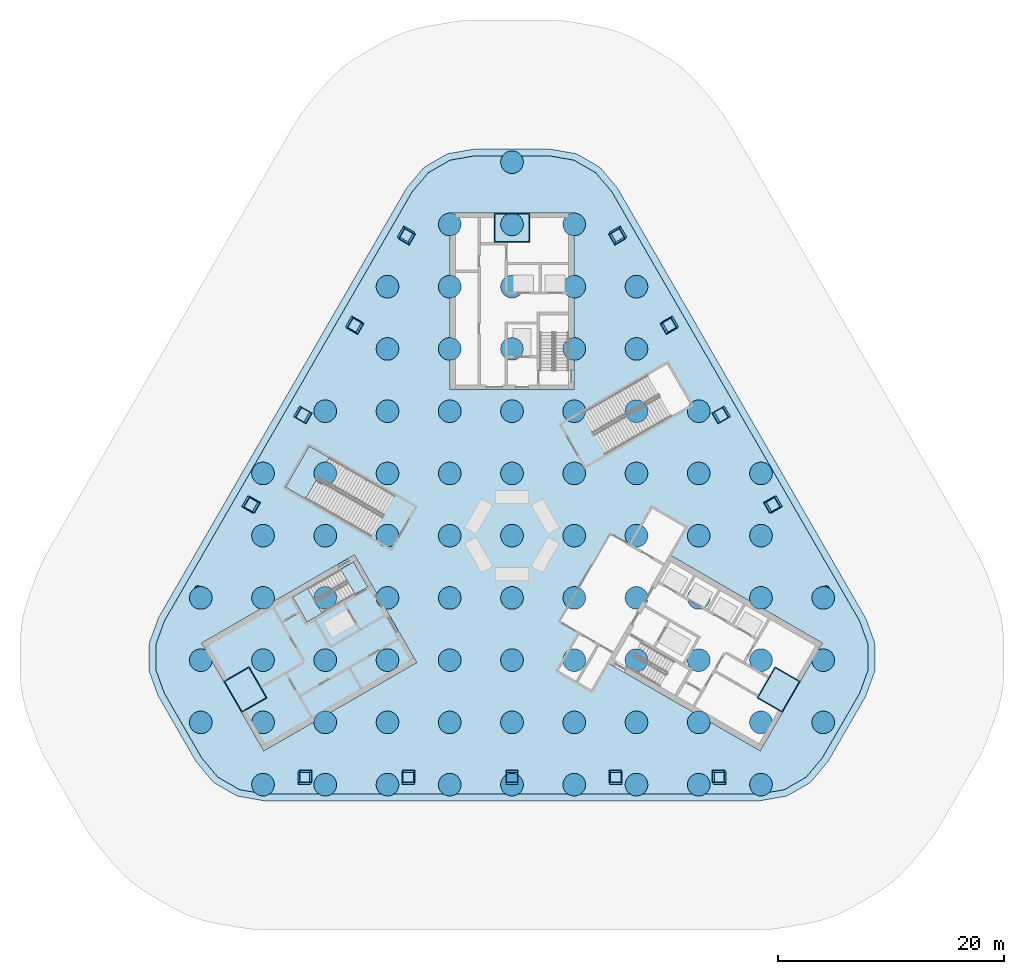
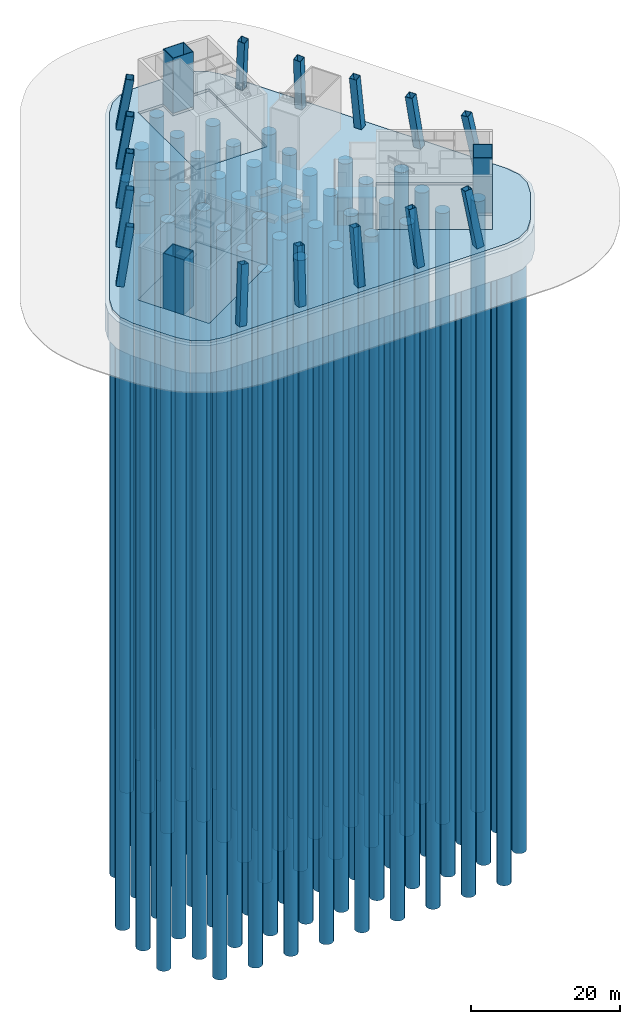
# One storey, part 1 of 10: 81 piles, 18 columns, 6 slabs, 1 footing, 2 elements without a shape of their own.
"""IFC4 building model written with IfcOpenShell, lengths in metres."""

import ifcopenshell
import ifcopenshell.guid

model = None  # the IFC model being written
_history = None  # IfcOwnerHistory: only IFC2X3 demands one
_inside = {}  # id of a spatial element -> (the spatial element, [elements in it])
_under = {}  # id of a project, library or spatial element -> (it, [spatial elements below it])
_declared = {}  # id of a project -> (the project, [libraries it declares])
_typed = {}  # id of a type object -> (the type object, [elements of that type])
_made_of = {}  # id of a material, layer set ... -> (it, [elements and type objects made of it])


def new_model(schema):
    """Start an empty IFC model of exactly this schema.

    Asked for "IFC4X3", IfcOpenShell would pick the latest addendum, in which some entities
    have other attributes; the version numbers below select the first issue.
    IFC2X3 requires an IfcOwnerHistory on every rooted entity: one is made here for all.
    """
    global model, _history
    if schema == "IFC4X3":
        model = ifcopenshell.file(schema_version=(4, 3, 0, 0))
    else:
        model = ifcopenshell.file(schema=schema)
    _inside.clear()
    _under.clear()
    _declared.clear()
    _typed.clear()
    _made_of.clear()
    _history = None
    if model.schema == "IFC2X3":
        org = make("IfcOrganization", Name="unknown")
        user = make(
            "IfcPersonAndOrganization",
            ThePerson=make("IfcPerson", FamilyName="unknown"),
            TheOrganization=org,
        )
        app = make(
            "IfcApplication",
            ApplicationDeveloper=org,
            Version="unknown",
            ApplicationFullName="unknown",
            ApplicationIdentifier="unknown",
        )
        _history = make(
            "IfcOwnerHistory",
            OwningUser=user,
            OwningApplication=app,
            ChangeAction="ADDED",
            CreationDate=0,
        )
    return model


def make(cls, **values):
    """One entity of the class cls with the attributes given. An attribute that is None is left unset."""
    return model.create_entity(
        cls, **{name: value for name, value in values.items() if value is not None}
    )


def rooted(cls, **values):
    """An entity with a GlobalId (a new one), such as an element, a storey or a relation."""
    return make(cls, GlobalId=ifcopenshell.guid.new(), OwnerHistory=_history, **values)


def si_unit(unit_type, name, prefix=None):
    """IfcSIUnit, for example si_unit("LENGTHUNIT", "METRE", prefix="MILLI")."""
    return make("IfcSIUnit", UnitType=unit_type, Prefix=prefix, Name=name)


def assignment(units):
    """IfcUnitAssignment: the units of a project."""
    return None if units is None else make("IfcUnitAssignment", Units=units)


def point(xyz):
    """IfcCartesianPoint."""
    return None if xyz is None else make("IfcCartesianPoint", Coordinates=xyz)


def direction(xyz):
    """IfcDirection."""
    return None if xyz is None else make("IfcDirection", DirectionRatios=xyz)


def frame(location, z_axis=None, x_axis=None):
    """IfcAxis2Placement3D, a coordinate frame: its origin and axes. An axis left out is left unset."""
    return make(
        "IfcAxis2Placement3D",
        Location=point(location),
        Axis=direction(z_axis),
        RefDirection=direction(x_axis),
    )


def frame_2d(location, x_axis=None):
    """IfcAxis2Placement2D, a coordinate frame in the plane: its origin and x axis."""
    return make(
        "IfcAxis2Placement2D", Location=point(location), RefDirection=direction(x_axis)
    )


def origin():
    """The frame at (0, 0, 0) with its axes left unset."""
    return frame((0.0, 0.0, 0.0))


def origin_2d():
    """The frame at (0, 0) in the plane with its x axis left unset."""
    return frame_2d((0.0, 0.0))


def place(relative_to, where):
    """IfcLocalPlacement: puts the frame where relative to a parent placement (None: the world)."""
    return make(
        "IfcLocalPlacement", PlacementRelTo=relative_to, RelativePlacement=where
    )


def context(
    kind, dimensions, precision=None, world=None, true_north=None, identifier=None
):
    """IfcGeometricRepresentationContext, for example the 3D "Model" context."""
    return make(
        "IfcGeometricRepresentationContext",
        ContextIdentifier=identifier,
        ContextType=kind,
        CoordinateSpaceDimension=dimensions,
        Precision=precision,
        WorldCoordinateSystem=world,
        TrueNorth=true_north,
    )


def subcontext(parent, identifier, kind, view, scale=None):
    """IfcGeometricRepresentationSubContext, for example "Body" below "Model"."""
    return make(
        "IfcGeometricRepresentationSubContext",
        ContextIdentifier=identifier,
        ContextType=kind,
        ParentContext=parent,
        TargetScale=scale,
        TargetView=view,
    )


def project(units=None, contexts=None):
    """IfcProject with its units and contexts."""
    return rooted(
        "IfcProject",
        Name="project",
        RepresentationContexts=contexts,
        UnitsInContext=assignment(units),
    )


def spatial(cls, under=None, at=None, **own):
    """A site, building, storey or space (cls), placed at a placement, below another one or the project."""
    s = rooted(cls, ObjectPlacement=at, **own)
    if under is not None:
        _under.setdefault(under.id(), (under, []))[1].append(s)
    return s


def polyline(points):
    """IfcPolyline through the points."""
    return make("IfcPolyline", Points=[point(p) for p in points])


def profile(cls, at=None, kind="AREA", **sizes):
    """A parametric profile (cls). Its sizes go by their IFC names, for example OverallWidth=200.0."""
    return make(cls, ProfileType=kind, Position=at, **sizes)


def rectangle(**sizes):
    """IfcRectangleProfileDef."""
    return profile("IfcRectangleProfileDef", **sizes)


def hollow_rectangle(**sizes):
    """IfcRectangleHollowProfileDef."""
    return profile("IfcRectangleHollowProfileDef", **sizes)


def circle(**sizes):
    """IfcCircleProfileDef."""
    return profile("IfcCircleProfileDef", **sizes)


def outline(outer, holes=None, kind="AREA"):
    """IfcArbitraryClosedProfileDef: a profile drawn as a closed curve; with holes, ...WithVoids."""
    if holes is None:
        return make("IfcArbitraryClosedProfileDef", ProfileType=kind, OuterCurve=outer)
    return make(
        "IfcArbitraryProfileDefWithVoids",
        ProfileType=kind,
        OuterCurve=outer,
        InnerCurves=holes,
    )


def extrude(swept, where, along, depth):
    """IfcExtrudedAreaSolid: the profile swept, set in the frame where, extruded along a direction by depth."""
    return make(
        "IfcExtrudedAreaSolid",
        SweptArea=swept,
        Position=where,
        ExtrudedDirection=direction(along),
        Depth=depth,
    )


def boolean(op, a, b):
    """IfcBooleanResult of two solids."""
    return make("IfcBooleanResult", Operator=op, FirstOperand=a, SecondOperand=b)


def halfspace(plane, agree):
    """IfcHalfSpaceSolid: all space on one side of the plane z = 0 of the frame plane."""
    return make(
        "IfcHalfSpaceSolid",
        BaseSurface=make("IfcPlane", Position=plane),
        AgreementFlag=agree,
    )


def shape(context_of_items, identifier, shape_type, items):
    """IfcShapeRepresentation: the items that make up one representation, for example the "Body"."""
    return make(
        "IfcShapeRepresentation",
        ContextOfItems=context_of_items,
        RepresentationIdentifier=identifier,
        RepresentationType=shape_type,
        Items=items,
    )


def material(Name=None, Category=None):
    """IfcMaterial."""
    return make("IfcMaterial", Name=Name, Category=Category)


def layer(
    of_material, thickness, ventilated=None, Name=None, Category=None, Priority=None
):
    """IfcMaterialLayer: one layer of a wall or slab, of a material (None: an air gap)."""
    return make(
        "IfcMaterialLayer",
        Material=of_material,
        LayerThickness=thickness,
        IsVentilated=ventilated,
        Name=Name,
        Category=Category,
        Priority=Priority,
    )


def layer_set(layers, Name=None):
    """IfcMaterialLayerSet."""
    return make("IfcMaterialLayerSet", MaterialLayers=layers, LayerSetName=Name)


def material_profile(
    of_material, cross_section, Name=None, Category=None, Priority=None
):
    """IfcMaterialProfile: a cross section and its material."""
    return make(
        "IfcMaterialProfile",
        Name=Name,
        Material=of_material,
        Profile=cross_section,
        Priority=Priority,
        Category=Category,
    )


def profile_set(profiles, Name=None, composite=None):
    """IfcMaterialProfileSet."""
    return make(
        "IfcMaterialProfileSet",
        Name=Name,
        MaterialProfiles=profiles,
        CompositeProfile=composite,
    )


def made_of(thing, what):
    """Note that an element or type object is made of a material, layer set ...; save() writes the relation."""
    if what is not None:
        _made_of.setdefault(what.id(), (what, []))[1].append(thing)
    return thing


def type_object(cls, material=None, **own):
    """A type object (cls), such as IfcWallType, which elements share."""
    return made_of(rooted(cls, **own), material)


def element(
    cls,
    number,
    at=None,
    inside=None,
    cuts=None,
    type_object=None,
    material=None,
    context=None,
    identifier="Body",
    shape_type=None,
    held_by="IfcProductDefinitionShape",
    body=None,
    shapes=None,
    **own,
):
    """One element of the class cls, such as IfcWall. Its Tag is "e" and its number.

    at: its placement. inside: the storey or other place that contains it. cuts: it is an
    opening in that element (IfcRelVoidsElement). A single representation is given by context,
    identifier, shape_type and body (its items); several are given by shapes. held_by: the class
    of the entity that holds the representations. save() writes the other relations.
    """
    e = rooted(cls, Tag="e%d" % number, ObjectPlacement=at, **own)
    if body is not None:
        shapes = [shape(context, identifier, shape_type, body)]
    if shapes is not None:
        e.Representation = make(held_by, Representations=shapes)
    if inside is not None:
        _inside.setdefault(inside.id(), (inside, []))[1].append(e)
    if cuts is not None:
        rooted(
            "IfcRelVoidsElement", RelatingBuildingElement=cuts, RelatedOpeningElement=e
        )
    if type_object is not None:
        _typed.setdefault(type_object.id(), (type_object, []))[1].append(e)
    return made_of(e, material)


def aggregate(whole, parts):
    """IfcRelAggregates: a whole, such as a stair, and the parts it consists of."""
    return rooted("IfcRelAggregates", RelatingObject=whole, RelatedObjects=parts)


def save(model, path):
    """Write the relations noted so far, then the file.

    IfcRelAggregates (storeys below a building ...), IfcRelContainedInSpatialStructure (elements
    in a storey), IfcRelDefinesByType, IfcRelAssociatesMaterial and IfcRelDeclares: one each for
    every whole, place, type object, material and project.
    """
    for whole, parts in _under.values():
        aggregate(whole, parts)
    for where, things in _inside.values():
        rooted(
            "IfcRelContainedInSpatialStructure",
            RelatedElements=things,
            RelatingStructure=where,
        )
    for kind, things in _typed.values():
        rooted("IfcRelDefinesByType", RelatedObjects=things, RelatingType=kind)
    for what, things in _made_of.values():
        rooted("IfcRelAssociatesMaterial", RelatedObjects=things, RelatingMaterial=what)
    for by, libraries in _declared.values():
        rooted("IfcRelDeclares", RelatingContext=by, RelatedDefinitions=libraries)
    model.write(path)


model = new_model("IFC4")

# Units and contexts
model_context = context("Model", 3, precision=1e-05, world=origin(), true_north=direction((0.0, 1.0)))
body_context = subcontext(model_context, "Body", "Model", "MODEL_VIEW")
ifc_project = project(units=[si_unit("LENGTHUNIT", "METRE"), si_unit("AREAUNIT", "SQUARE_METRE"), si_unit("VOLUMEUNIT", "CUBIC_METRE"), si_unit("PLANEANGLEUNIT", "RADIAN"), si_unit("MASSUNIT", "GRAM", prefix="KILO")], contexts=[model_context])

# Site, building, storey
site_placement = place(None, origin())
site = spatial("IfcSite", under=ifc_project, at=site_placement, CompositionType="ELEMENT")
building_placement = place(site_placement, origin())
building = spatial("IfcBuilding", under=site, at=building_placement, Name="Apuvela Tower Hotel", CompositionType="ELEMENT")
storey_placement = place(building_placement, origin())
storey = spatial("IfcBuildingStorey", under=building, at=storey_placement, Name="L00", CompositionType="ELEMENT", Elevation=0.0)

# Piles
ifc_material_1 = material(Name="Concrete C40/50", Category="concrete")
ifc_material_profile_1 = material_profile(ifc_material_1, circle(Radius=1.0, at=origin_2d()), Name="PILE 2000")
ifc_profile_set_1 = profile_set([ifc_material_profile_1], Name="Concrete C40/50")
pile_type = type_object("IfcPileType", Name="STR-PILE 2000 bored Concrete C40/50", PredefinedType="BORED", material=ifc_profile_set_1)
for number, where, z_axis, x_axis, name in (
    (1, (-22.0, -22.0, -4.89990234375), (0.0, 0.0, -1.0), (1.0, 0.0, 0.0), "Bored pile P1 1"),
    (2, (-16.5, -22.0, -4.89990234375), (0.0, 0.0, -1.0), (1.0, 0.0, 0.0), "Bored pile P1 2"),
    (3, (-11.0, -22.0, -4.89990234375), (0.0, 0.0, -1.0), (1.0, 0.0, 0.0), "Bored pile P1 3"),
    (4, (-5.5, -22.0, -4.89990234375), (0.0, 0.0, -1.0), (1.0, 0.0, 0.0), "Bored pile P1 4"),
    (5, (0.0, -22.0, -4.89990234375), (0.0, 0.0, -1.0), (1.0, 0.0, 0.0), "Bored pile P1 5"),
    (6, (5.5, -22.0, -4.89990234375), (0.0, 0.0, -1.0), (1.0, 0.0, 0.0), "Bored pile P1 6"),
    (7, (11.0, -22.0, -4.89990234375), (0.0, 0.0, -1.0), (1.0, 0.0, 0.0), "Bored pile P1 7"),
    (8, (16.5, -22.0, -4.89990234375), (0.0, 0.0, -1.0), (1.0, 0.0, 0.0), "Bored pile P1 8"),
    (9, (22.0, -22.0, -4.89990234375), (0.0, 0.0, -1.0), (1.0, 0.0, 0.0), "Bored pile P1 9"),
    (10, (-27.5, -16.5, -4.89990234375), (0.0, 0.0, -1.0), (1.0, 0.0, 0.0), "Bored pile P1 10"),
    (11, (-22.0, -16.5, -4.89990234375), (0.0, 0.0, -1.0), (1.0, 0.0, 0.0), "Bored pile P1 11"),
    (12, (-16.5, -16.5, -4.89990234375), (0.0, 0.0, -1.0), (1.0, 0.0, 0.0), "Bored pile P1 12"),
    (13, (-11.0, -16.5, -4.89990234375), (0.0, 0.0, -1.0), (1.0, 0.0, 0.0), "Bored pile P1 13"),
    (14, (-5.5, -16.5, -4.89990234375), (0.0, 0.0, -1.0), (1.0, 0.0, 0.0), "Bored pile P1 14"),
    (15, (0.0, -16.5, -4.89990234375), (0.0, 0.0, -1.0), (1.0, 0.0, 0.0), "Bored pile P1 15"),
    (16, (5.5, -16.5, -4.89990234375), (0.0, 0.0, -1.0), (1.0, 0.0, 0.0), "Bored pile P1 16"),
    (17, (11.0, -16.5, -4.89990234375), (0.0, 0.0, -1.0), (1.0, 0.0, 0.0), "Bored pile P1 17"),
    (18, (16.5, -16.5, -4.89990234375), (0.0, 0.0, -1.0), (1.0, 0.0, 0.0), "Bored pile P1 18"),
    (19, (22.0, -16.5, -4.89990234375), (0.0, 0.0, -1.0), (1.0, 0.0, 0.0), "Bored pile P1 19"),
    (20, (27.5, -16.5, -4.89990234375), (0.0, 0.0, -1.0), (1.0, 0.0, 0.0), "Bored pile P1 20"),
    (21, (-27.5, -11.0, -4.89990234375), (0.0, 0.0, -1.0), (1.0, 0.0, 0.0), "Bored pile P1 21"),
    (22, (-22.0, -11.0, -4.89990234375), (0.0, 0.0, -1.0), (1.0, 0.0, 0.0), "Bored pile P1 22"),
    (23, (-16.5, -11.0, -4.89990234375), (0.0, 0.0, -1.0), (1.0, 0.0, 0.0), "Bored pile P1 23"),
    (24, (-11.0, -11.0, -4.89990234375), (0.0, 0.0, -1.0), (1.0, 0.0, 0.0), "Bored pile P1 24"),
    (25, (-5.5, -11.0, -4.89990234375), (0.0, 0.0, -1.0), (1.0, 0.0, 0.0), "Bored pile P1 25"),
    (26, (0.0, -11.0, -4.89990234375), (0.0, 0.0, -1.0), (1.0, 0.0, 0.0), "Bored pile P1 26"),
    (27, (5.5, -11.0, -4.89990234375), (0.0, 0.0, -1.0), (1.0, 0.0, 0.0), "Bored pile P1 27"),
    (28, (11.0, -11.0, -4.89990234375), (0.0, 0.0, -1.0), (1.0, 0.0, 0.0), "Bored pile P1 28"),
    (29, (16.5, -11.0, -4.89990234375), (0.0, 0.0, -1.0), (1.0, 0.0, 0.0), "Bored pile P1 29"),
    (30, (22.0, -11.0, -4.89990234375), (0.0, 0.0, -1.0), (1.0, 0.0, 0.0), "Bored pile P1 30"),
    (31, (27.5, -11.0, -4.89990234375), (0.0, 0.0, -1.0), (1.0, 0.0, 0.0), "Bored pile P1 31"),
    (32, (-27.5, -5.5, -4.89990234375), (0.0, 0.0, -1.0), (1.0, 0.0, 0.0), "Bored pile P1 32"),
    (33, (-22.0, -5.5, -4.89990234375), (0.0, 0.0, -1.0), (1.0, 0.0, 0.0), "Bored pile P1 33"),
    (34, (-16.5, -5.5, -4.89990234375), (0.0, 0.0, -1.0), (1.0, 0.0, 0.0), "Bored pile P1 34"),
    (35, (-11.0, -5.5, -4.89990234375), (0.0, 0.0, -1.0), (1.0, 0.0, 0.0), "Bored pile P1 35"),
    (36, (-5.5, -5.5, -4.89990234375), (0.0, 0.0, -1.0), (1.0, 0.0, 0.0), "Bored pile P1 36"),
    (37, (0.0, -5.5, -4.89990234375), (0.0, 0.0, -1.0), (1.0, 0.0, 0.0), "Bored pile P1 37"),
    (38, (5.5, -5.5, -4.89990234375), (0.0, 0.0, -1.0), (1.0, 0.0, 0.0), "Bored pile P1 38"),
    (39, (11.0, -5.5, -4.89990234375), (0.0, 0.0, -1.0), (1.0, 0.0, 0.0), "Bored pile P1 39"),
    (40, (16.5, -5.5, -4.89990234375), (0.0, 0.0, -1.0), (1.0, 0.0, 0.0), "Bored pile P1 40"),
    (41, (22.0, -5.5, -4.89990234375), (0.0, 0.0, -1.0), (1.0, 0.0, 0.0), "Bored pile P1 41"),
    (42, (27.5, -5.5, -4.89990234375), (0.0, 0.0, -1.0), (1.0, 0.0, 0.0), "Bored pile P1 42"),
    (43, (-22.0, 0.0, -4.89990234375), (0.0, 0.0, -1.0), (1.0, 0.0, 0.0), "Bored pile P1 43"),
    (44, (-16.5, 0.0, -4.89990234375), (0.0, 0.0, -1.0), (1.0, 0.0, 0.0), "Bored pile P1 44"),
    (45, (-11.0, 0.0, -4.89990234375), (0.0, 0.0, -1.0), (1.0, 0.0, 0.0), "Bored pile P1 45"),
    (46, (-5.5, 0.0, -4.89990234375), (0.0, 0.0, -1.0), (1.0, 0.0, 0.0), "Bored pile P1 46"),
    (47, (0.0, 0.0, -4.89990234375), (0.0, 0.0, -1.0), (1.0, 0.0, 0.0), "Bored pile P1 47"),
    (48, (5.5, 0.0, -4.89990234375), (0.0, 0.0, -1.0), (1.0, 0.0, 0.0), "Bored pile P1 48"),
    (49, (11.0, 0.0, -4.89990234375), (0.0, 0.0, -1.0), (1.0, 0.0, 0.0), "Bored pile P1 49"),
    (50, (16.5, 0.0, -4.89990234375), (0.0, 0.0, -1.0), (1.0, 0.0, 0.0), "Bored pile P1 50"),
    (51, (22.0, 0.0, -4.89990234375), (0.0, 0.0, -1.0), (1.0, 0.0, 0.0), "Bored pile P1 51"),
    (52, (-22.0, 5.5, -4.89990234375), (0.0, 0.0, -1.0), (1.0, 0.0, 0.0), "Bored pile P1 52"),
    (53, (-16.5, 5.5, -4.89990234375), (0.0, 0.0, -1.0), (1.0, 0.0, 0.0), "Bored pile P1 53"),
    (54, (-11.0, 5.5, -4.89990234375), (0.0, 0.0, -1.0), (1.0, 0.0, 0.0), "Bored pile P1 54"),
    (55, (-5.5, 5.5, -4.89990234375), (0.0, 0.0, -1.0), (1.0, 0.0, 0.0), "Bored pile P1 55"),
    (56, (0.0, 5.5, -4.89990234375), (0.0, 0.0, -1.0), (1.0, 0.0, 0.0), "Bored pile P1 56"),
    (57, (5.5, 5.5, -4.89990234375), (0.0, 0.0, -1.0), (1.0, 0.0, 0.0), "Bored pile P1 57"),
    (58, (11.0, 5.5, -4.89990234375), (0.0, 0.0, -1.0), (1.0, 0.0, 0.0), "Bored pile P1 58"),
    (59, (16.5, 5.5, -4.89990234375), (0.0, 0.0, -1.0), (1.0, 0.0, 0.0), "Bored pile P1 59"),
    (60, (22.0, 5.5, -4.89990234375), (0.0, 0.0, -1.0), (1.0, 0.0, 0.0), "Bored pile P1 60"),
    (61, (-16.5, 11.0, -4.89990234375), (0.0, 0.0, -1.0), (1.0, 0.0, 0.0), "Bored pile P1 61"),
    (62, (-11.0, 11.0, -4.89990234375), (0.0, 0.0, -1.0), (1.0, 0.0, 0.0), "Bored pile P1 62"),
    (63, (-5.5, 11.0, -4.89990234375), (0.0, 0.0, -1.0), (1.0, 0.0, 0.0), "Bored pile P1 63"),
    (64, (0.0, 11.0, -4.89990234375), (0.0, 0.0, -1.0), (1.0, 0.0, 0.0), "Bored pile P1 64"),
    (65, (5.5, 11.0, -4.89990234375), (0.0, 0.0, -1.0), (1.0, 0.0, 0.0), "Bored pile P1 65"),
    (66, (11.0, 11.0, -4.89990234375), (0.0, 0.0, -1.0), (1.0, 0.0, 0.0), "Bored pile P1 66"),
    (67, (16.5, 11.0, -4.89990234375), (0.0, 0.0, -1.0), (1.0, 0.0, 0.0), "Bored pile P1 67"),
    (68, (-11.0, 16.5, -4.89990234375), (0.0, 0.0, -1.0), (1.0, 0.0, 0.0), "Bored pile P1 68"),
    (69, (-5.5, 16.5, -4.89990234375), (0.0, 0.0, -1.0), (1.0, 0.0, 0.0), "Bored pile P1 69"),
    (70, (0.0, 16.5, -4.89990234375), (0.0, 0.0, -1.0), (1.0, 0.0, 0.0), "Bored pile P1 70"),
    (71, (5.5, 16.5, -4.89990234375), (0.0, 0.0, -1.0), (1.0, 0.0, 0.0), "Bored pile P1 71"),
    (72, (11.0, 16.5, -4.89990234375), (0.0, 0.0, -1.0), (1.0, 0.0, 0.0), "Bored pile P1 72"),
    (73, (-11.0, 22.0, -4.89990234375), (0.0, 0.0, -1.0), (1.0, 0.0, 0.0), "Bored pile P1 73"),
    (74, (-5.5, 22.0, -4.89990234375), (0.0, 0.0, -1.0), (1.0, 0.0, 0.0), "Bored pile P1 74"),
    (75, (0.0, 22.0, -4.89990234375), (0.0, 0.0, -1.0), (1.0, 0.0, 0.0), "Bored pile P1 75"),
    (76, (5.5, 22.0, -4.89990234375), (0.0, 0.0, -1.0), (1.0, 0.0, 0.0), "Bored pile P1 76"),
    (77, (11.0, 22.0, -4.89990234375), (0.0, 0.0, -1.0), (1.0, 0.0, 0.0), "Bored pile P1 77"),
    (78, (-5.5, 27.5, -4.89990234375), (0.0, 0.0, -1.0), (1.0, 0.0, 0.0), "Bored pile P1 78"),
    (79, (0.0, 27.5, -4.89990234375), (0.0, 0.0, -1.0), (1.0, 0.0, 0.0), "Bored pile P1 79"),
    (80, (5.5, 27.5, -4.89990234375), (0.0, 0.0, -1.0), (1.0, 0.0, 0.0), "Bored pile P1 80"),
    (81, (0.0, 33.0, -4.89990234375), (0.0, 0.0, -1.0), (1.0, 0.0, 0.0), "Bored pile P1 81"),
):
    element("IfcPile", number, at=place(storey_placement, frame(where, z_axis=z_axis, x_axis=x_axis)), inside=storey, type_object=pile_type, Name=name, PredefinedType="BORED", context=body_context, shape_type="SweptSolid", body=[
        extrude(circle(Radius=1.0, at=origin_2d()), origin(), (0.0, 0.0, 1.0), 100.0),
    ])

# Footing
ifc_material_2 = material(Name="Concrete C50/60", Category="concrete")
ifc_layer_1 = layer(ifc_material_2, 4.5)
ifc_layer_set_1 = layer_set([ifc_layer_1], Name="STR-RAFT 4500 Concrete C50/60")
footing_type = type_object("IfcFootingType", Name="STR-RAFT 4500 Concrete C50/60", PredefinedType="PILE_CAP", material=ifc_layer_set_1)
footing_placement = place(storey_placement, frame((0.0, 0.0, -4.89990234375)))
element("IfcFooting", 82, at=footing_placement, inside=storey, type_object=footing_type, Name="Raft RF1", PredefinedType="PILE_CAP", context=body_context, shape_type="SweptSolid", body=[
    extrude(outline(polyline([(9.349365234375, 30.666259765625), (31.276611328125, -7.3310546875), (32.03662109375, -9.418701171875), (32.07275390625, -9.623779296875), (32.07275390625, -11.845458984375), (32.03662109375, -12.050537109375), (31.232421875, -14.23291015625), (27.9423828125, -19.931640625), (26.454345703125, -21.71923828125), (26.294921875, -21.85302734375), (24.370849609375, -22.9638671875), (24.175048828125, -23.03515625), (21.883056640625, -23.429931640625), (-21.883056640625, -23.429931640625), (-24.175048828125, -23.03515625), (-24.370849609375, -22.9638671875), (-26.294921875, -21.85302734375), (-26.454345703125, -21.71923828125), (-27.9423828125, -19.931640625), (-31.276611328125, -14.13818359375), (-32.03662109375, -12.050537109375), (-32.07275390625, -11.845458984375), (-32.07275390625, -9.623779296875), (-32.03662109375, -9.418701171875), (-31.232421875, -7.236328125), (-9.349365234375, 30.666259765625), (-7.861572265625, 32.453857421875), (-7.701904296875, 32.587646484375), (-5.778076171875, 33.698486328125), (-5.58203125, 33.769775390625), (-3.290283203125, 34.16455078125), (3.290283203125, 34.16455078125), (5.58203125, 33.769775390625), (5.778076171875, 33.698486328125), (7.701904296875, 32.587646484375), (7.861572265625, 32.453857421875), (9.349365234375, 30.666259765625)])), origin(), (0.0, 0.0, 1.0), 4.5),
])

# Columns
ifc_material_3 = material(Name="Steel S460", Category="steel")
ifc_material_profile_2 = material_profile(ifc_material_3, hollow_rectangle(XDim=3.199951171875, YDim=2.60009765625, WallThickness=0.080078125, at=origin_2d()), Name="BOX 3200x2600x80")
ifc_material_4 = material(Name="Concrete C80/95", Category="concrete")
ifc_material_profile_3 = material_profile(ifc_material_4, rectangle(XDim=3.0400390625, YDim=2.43994140625, at=origin_2d()), Name="Concrete C80/95 infill")
ifc_profile_set_2 = profile_set([ifc_material_profile_2, ifc_material_profile_3], Name="Steel S460")
column_type_1 = type_object("IfcColumnType", Name="STR-MC mega column BOX 3200x2600x80", PredefinedType="COLUMN", material=ifc_profile_set_2)
for number, where, z_axis, x_axis, name in (
    (83, (0.0, 27.199951171875, 0.0), (0.0, 0.0, 1.0), (1.0, 0.0, 0.0), "Mega column MC1 N"),
    (84, (-23.555908203125, -13.60009765625, 0.0), (0.0, 0.0, 1.0), (-0.5, 0.866025403784, 0.0), "Mega column MC1 SW"),
    (85, (23.555908203125, -13.60009765625, 0.0), (0.0, 0.0, 1.0), (0.5, 0.866025403784, 0.0), "Mega column MC1 SE"),
):
    element("IfcColumn", number, at=place(storey_placement, frame(where, z_axis=z_axis, x_axis=x_axis)), inside=storey, type_object=column_type_1, Name=name, PredefinedType="COLUMN", context=body_context, shape_type="SweptSolid", body=[
        extrude(hollow_rectangle(XDim=3.199951171875, YDim=2.60009765625, WallThickness=0.080078125, at=origin_2d()), origin(), (0.0, 0.0, 1.0), 9.0),
    ])
ifc_material_profile_4 = material_profile(ifc_material_3, hollow_rectangle(XDim=1.10009765625, YDim=1.10009765625, WallThickness=0.050048828125, at=origin_2d()), Name="BOX 1100x1100x50")
ifc_material_profile_5 = material_profile(ifc_material_4, rectangle(XDim=1.0, YDim=1.0, at=origin_2d()), Name="Concrete C80/95 infill")
ifc_profile_set_3 = profile_set([ifc_material_profile_4, ifc_material_profile_5], Name="Steel S460")
column_type_2 = type_object("IfcColumnType", Name="STR-PC perimeter column BOX 1100x1100x50", PredefinedType="COLUMN", material=ifc_profile_set_3)
column_1_placement = place(storey_placement, frame((-18.37548828125, -21.429931640625, 0.0), z_axis=(0.118691373236, 0.14745858219, 0.981920732268), x_axis=(-0.992892393304, 0.008883514023, 0.118683522432)))
element("IfcColumn", 86, at=column_1_placement, inside=storey, type_object=column_type_2, Name="Perimeter column C1 S1", PredefinedType="COLUMN", context=body_context, shape_type="SweptSolid", body=[
    boolean("DIFFERENCE", extrude(hollow_rectangle(XDim=1.10009765625, YDim=1.10009765625, WallThickness=0.050048828125, at=origin_2d()), origin(), (0.0, 0.0, 1.0), 9.165771484375), halfspace(frame((0.0, 0.0, 9.146728515625), z_axis=(0.0, 0.0, 1.0), x_axis=(1.0, 0.0, 0.0)), False)),
])
column_2_placement = place(storey_placement, frame((-9.187744140625, -21.429931640625, 0.0), z_axis=(0.059661708383, 0.148243814007, 0.987149559166), x_axis=(-0.998208703582, 0.004444754245, 0.059662620228)))
element("IfcColumn", 87, at=column_2_placement, inside=storey, type_object=column_type_2, Name="Perimeter column C1 S2", PredefinedType="COLUMN", context=body_context, shape_type="SweptSolid", body=[
    boolean("DIFFERENCE", extrude(hollow_rectangle(XDim=1.10009765625, YDim=1.10009765625, WallThickness=0.050048828125, at=origin_2d()), origin(), (0.0, 0.0, 1.0), 9.1171875), halfspace(frame((0.0, 0.0, 9.1005859375), z_axis=(0.0, 0.0, 1.0), x_axis=(1.0, 0.0, 0.0)), False)),
])
column_3_placement = place(storey_placement, frame((0.0, -21.429931640625, 0.0), z_axis=(0.0, 0.148508358825, 0.988911152409), x_axis=(-1.0, 0.0, 0.0)))
element("IfcColumn", 88, at=column_3_placement, inside=storey, type_object=column_type_2, Name="Perimeter column C1 S3", PredefinedType="COLUMN", context=body_context, shape_type="SweptSolid", body=[
    boolean("DIFFERENCE", extrude(hollow_rectangle(XDim=1.10009765625, YDim=1.10009765625, WallThickness=0.050048828125, at=origin_2d()), origin(), (0.0, 0.0, 1.0), 9.100830078125), halfspace(frame((0.0, 0.0, 9.08544921875), z_axis=(0.0, 0.0, 1.0), x_axis=(1.0, 0.0, 0.0)), False)),
])
column_4_placement = place(storey_placement, frame((9.187744140625, -21.429931640625, 0.0), z_axis=(-0.059661708383, 0.148243814007, 0.987149559166), x_axis=(0.998208703582, 0.004444754245, 0.059662620228)))
element("IfcColumn", 89, at=column_4_placement, inside=storey, type_object=column_type_2, Name="Perimeter column C1 S4", PredefinedType="COLUMN", context=body_context, shape_type="SweptSolid", body=[
    boolean("DIFFERENCE", extrude(hollow_rectangle(XDim=1.10009765625, YDim=1.10009765625, WallThickness=0.050048828125, at=origin_2d()), origin(), (0.0, 0.0, 1.0), 9.1171875), halfspace(frame((0.0, 0.0, 9.1005859375), z_axis=(0.0, 0.0, 1.0), x_axis=(1.0, 0.0, 0.0)), False)),
])
column_5_placement = place(storey_placement, frame((18.37548828125, -21.429931640625, 0.0), z_axis=(-0.118691373236, 0.14745858219, 0.981920732268), x_axis=(0.992892393304, 0.008883514023, 0.118683522432)))
element("IfcColumn", 90, at=column_5_placement, inside=storey, type_object=column_type_2, Name="Perimeter column C1 S5", PredefinedType="COLUMN", context=body_context, shape_type="SweptSolid", body=[
    boolean("DIFFERENCE", extrude(hollow_rectangle(XDim=1.10009765625, YDim=1.10009765625, WallThickness=0.050048828125, at=origin_2d()), origin(), (0.0, 0.0, 1.0), 9.165771484375), halfspace(frame((0.0, 0.0, 9.146728515625), z_axis=(0.0, 0.0, 1.0), x_axis=(1.0, 0.0, 0.0)), False)),
])
column_6_placement = place(storey_placement, frame((27.74658203125, -5.19873046875, 0.0), z_axis=(-0.187040427199, 0.029060254354, 0.981922288274), x_axis=(0.488808494451, -0.86427960463, 0.118688755878)))
element("IfcColumn", 91, at=column_6_placement, inside=storey, type_object=column_type_2, Name="Perimeter column C1 NE1", PredefinedType="COLUMN", context=body_context, shape_type="SweptSolid", body=[
    boolean("DIFFERENCE", extrude(hollow_rectangle(XDim=1.10009765625, YDim=1.10009765625, WallThickness=0.050048828125, at=origin_2d()), origin(), (0.0, 0.0, 1.0), 9.165771484375), halfspace(frame((0.0, 0.0, 9.146484375), z_axis=(0.0, 0.0, 1.0), x_axis=(1.0, 0.0, 0.0)), False)),
])
column_7_placement = place(storey_placement, frame((23.15283203125, 2.758056640625, 0.0), z_axis=(-0.158231651294, -0.022440027718, 0.987146994973), x_axis=(0.495168958636, -0.866745273107, 0.059668534009)))
element("IfcColumn", 92, at=column_7_placement, inside=storey, type_object=column_type_2, Name="Perimeter column C1 NE2", PredefinedType="COLUMN", context=body_context, shape_type="SweptSolid", body=[
    boolean("DIFFERENCE", extrude(hollow_rectangle(XDim=1.10009765625, YDim=1.10009765625, WallThickness=0.050048828125, at=origin_2d()), origin(), (0.0, 0.0, 1.0), 9.1171875), halfspace(frame((0.0, 0.0, 9.1005859375), z_axis=(0.0, 0.0, 1.0), x_axis=(1.0, 0.0, 0.0)), False)),
])
column_8_placement = place(storey_placement, frame((18.558837890625, 10.715087890625, 0.0), z_axis=(-0.128630040018, -0.074254004332, 0.988908820694), x_axis=(0.499976449074, -0.866039000476, 5.184462e-06)))
element("IfcColumn", 93, at=column_8_placement, inside=storey, type_object=column_type_2, Name="Perimeter column C1 NE3", PredefinedType="COLUMN", context=body_context, shape_type="SweptSolid", body=[
    boolean("DIFFERENCE", extrude(hollow_rectangle(XDim=1.10009765625, YDim=1.10009765625, WallThickness=0.050048828125, at=origin_2d()), origin(), (0.0, 0.0, 1.0), 9.100830078125), halfspace(frame((0.0, 0.0, 9.08544921875), z_axis=(0.0, 0.0, 1.0), x_axis=(1.0, 0.0, 0.0)), False)),
])
column_9_placement = place(storey_placement, frame((13.965087890625, 18.671875, 0.0), z_axis=(-0.098570011656, -0.12580329116, 0.987146131399), x_axis=(-0.502950808814, 0.862253170424, 0.059665350136)))
element("IfcColumn", 94, at=column_9_placement, inside=storey, type_object=column_type_2, Name="Perimeter column C1 NE4", PredefinedType="COLUMN", context=body_context, shape_type="SweptSolid", body=[
    boolean("DIFFERENCE", extrude(hollow_rectangle(XDim=1.10009765625, YDim=1.10009765625, WallThickness=0.050048828125, at=origin_2d()), origin(), (0.0, 0.0, 1.0), 9.1171875), halfspace(frame((0.0, 0.0, 9.1005859375), z_axis=(0.0, 0.0, 1.0), x_axis=(1.0, 0.0, 0.0)), False)),
])
for number, where, z_axis, x_axis, name in (
    (95, (9.37109375, 26.62890625, 0.0), (-0.068374990234, -0.1765443846, 0.981914935713), (-0.504062146009, 0.855470201781, 0.118710095719), "Perimeter column C1 NE5"),
    (96, (-9.37109375, 26.62890625, 0.0), (0.068374990234, -0.1765443846, 0.981914935713), (0.504062146009, 0.855470201781, 0.118710095719), "Perimeter column C1 NW1"),
):
    element("IfcColumn", number, at=place(storey_placement, frame(where, z_axis=z_axis, x_axis=x_axis)), inside=storey, type_object=column_type_2, Name=name, PredefinedType="COLUMN", context=body_context, shape_type="SweptSolid", body=[
        boolean("DIFFERENCE", extrude(hollow_rectangle(XDim=1.10009765625, YDim=1.10009765625, WallThickness=0.050048828125, at=origin_2d()), origin(), (0.0, 0.0, 1.0), 9.165771484375), halfspace(frame((0.0, 0.0, 9.146728515625), z_axis=(0.0, 0.0, 1.0), x_axis=(1.0, 0.0, 0.0)), False)),
    ])
column_10_placement = place(storey_placement, frame((-13.965087890625, 18.671875, 0.0), z_axis=(0.098570011656, -0.12580329116, 0.987146131399), x_axis=(0.502950808814, 0.862253170424, 0.059665350136)))
element("IfcColumn", 97, at=column_10_placement, inside=storey, type_object=column_type_2, Name="Perimeter column C1 NW2", PredefinedType="COLUMN", context=body_context, shape_type="SweptSolid", body=[
    boolean("DIFFERENCE", extrude(hollow_rectangle(XDim=1.10009765625, YDim=1.10009765625, WallThickness=0.050048828125, at=origin_2d()), origin(), (0.0, 0.0, 1.0), 9.1171875), halfspace(frame((0.0, 0.0, 9.1005859375), z_axis=(0.0, 0.0, 1.0), x_axis=(1.0, 0.0, 0.0)), False)),
])
column_11_placement = place(storey_placement, frame((-18.558837890625, 10.715087890625, 0.0), z_axis=(0.128630040018, -0.074254004332, 0.988908820694), x_axis=(-0.499976449074, -0.866039000476, 5.184462e-06)))
element("IfcColumn", 98, at=column_11_placement, inside=storey, type_object=column_type_2, Name="Perimeter column C1 NW3", PredefinedType="COLUMN", context=body_context, shape_type="SweptSolid", body=[
    boolean("DIFFERENCE", extrude(hollow_rectangle(XDim=1.10009765625, YDim=1.10009765625, WallThickness=0.050048828125, at=origin_2d()), origin(), (0.0, 0.0, 1.0), 9.100830078125), halfspace(frame((0.0, 0.0, 9.08544921875), z_axis=(0.0, 0.0, 1.0), x_axis=(1.0, 0.0, 0.0)), False)),
])
column_12_placement = place(storey_placement, frame((-23.15283203125, 2.758056640625, 0.0), z_axis=(0.158231651294, -0.022440027718, 0.987146994973), x_axis=(-0.495168958636, -0.866745273107, 0.059668534009)))
element("IfcColumn", 99, at=column_12_placement, inside=storey, type_object=column_type_2, Name="Perimeter column C1 NW4", PredefinedType="COLUMN", context=body_context, shape_type="SweptSolid", body=[
    boolean("DIFFERENCE", extrude(hollow_rectangle(XDim=1.10009765625, YDim=1.10009765625, WallThickness=0.050048828125, at=origin_2d()), origin(), (0.0, 0.0, 1.0), 9.1171875), halfspace(frame((0.0, 0.0, 9.1005859375), z_axis=(0.0, 0.0, 1.0), x_axis=(1.0, 0.0, 0.0)), False)),
])
column_13_placement = place(storey_placement, frame((-27.74658203125, -5.19873046875, 0.0), z_axis=(0.187040427199, 0.029060254354, 0.981922288274), x_axis=(-0.488808494451, -0.86427960463, 0.118688755878)))
element("IfcColumn", 100, at=column_13_placement, inside=storey, type_object=column_type_2, Name="Perimeter column C1 NW5", PredefinedType="COLUMN", context=body_context, shape_type="SweptSolid", body=[
    boolean("DIFFERENCE", extrude(hollow_rectangle(XDim=1.10009765625, YDim=1.10009765625, WallThickness=0.050048828125, at=origin_2d()), origin(), (0.0, 0.0, 1.0), 9.165771484375), halfspace(frame((0.0, 0.0, 9.146484375), z_axis=(0.0, 0.0, 1.0), x_axis=(1.0, 0.0, 0.0)), False)),
])

# Slab
ifc_layer_2 = layer(ifc_material_2, 0.39990234375)
ifc_layer_set_2 = layer_set([ifc_layer_2], Name="COR-FLOOR-400")
slab_type_1 = type_object("IfcSlabType", Name="COR-FLOOR-400", PredefinedType="FLOOR", material=ifc_layer_set_2)
slab_1_placement = place(storey_placement, frame((0.0, 0.0, -0.39990234375)))
element("IfcSlab", 101, at=slab_1_placement, inside=storey, type_object=slab_type_1, Name="Core floor SW", PredefinedType="FLOOR", context=body_context, shape_type="SweptSolid", body=[
    extrude(outline(polyline([(-13.921630859375, -1.68701171875), (-27.431640625, -9.48681640625), (-25.481689453125, -12.864501953125), (-23.22998046875, -11.564453125), (-21.630126953125, -14.335693359375), (-23.881591796875, -15.635498046875), (-21.931640625, -19.01318359375), (-8.421630859375, -11.213134765625), (-13.921630859375, -1.68701171875)])), origin(), (0.0, 0.0, 1.0), 0.39990234375),
])

# Stair, slabs
stair_type_1 = type_object("IfcStairType", Name="COR-STAIR-52R", PredefinedType="HALF_TURN_STAIR", material=ifc_material_2)
stair_1_placement = place(storey_placement, origin())
stair_1 = element("IfcStair", 102, at=stair_1_placement, inside=storey, type_object=stair_type_1, Name="L00 Exit stair ST2", PredefinedType="HALF_TURN_STAIR")
ifc_layer_3 = layer(ifc_material_2, 0.199951171875)
ifc_layer_set_3 = layer_set([ifc_layer_3], Name="COR-LANDING-200")
slab_type_2 = type_object("IfcSlabType", Name="COR-LANDING-200", PredefinedType="LANDING", material=ifc_layer_set_3)
slab_2_placement = place(storey_placement, frame((0.0, 0.0, 2.050048828125)))
slab_2 = element("IfcSlab", 103, at=slab_2_placement, type_object=slab_type_2, Name="ST2 landing 1", PredefinedType="LANDING", context=body_context, shape_type="SweptSolid", body=[
    extrude(outline(polyline([(-18.048583984375, -4.64697265625), (-19.387451171875, -5.419921875), (-18.112548828125, -7.628173828125), (-16.773681640625, -6.855224609375), (-18.048583984375, -4.64697265625)])), origin(), (0.0, 0.0, 1.0), 0.199951171875),
])
slab_3_placement = place(storey_placement, frame((0.0, 0.0, 4.300048828125)))
slab_3 = element("IfcSlab", 104, at=slab_3_placement, type_object=slab_type_2, Name="ST2 landing 2", PredefinedType="LANDING", context=body_context, shape_type="SweptSolid", body=[
    extrude(outline(polyline([(-14.01806640625, -2.31982421875), (-15.149169921875, -2.972900390625), (-13.874267578125, -5.18115234375), (-12.7431640625, -4.5283203125), (-14.01806640625, -2.31982421875)])), origin(), (0.0, 0.0, 1.0), 0.199951171875),
])
slab_4_placement = place(storey_placement, frame((0.0, 0.0, 6.550048828125)))
slab_4 = element("IfcSlab", 105, at=slab_4_placement, type_object=slab_type_2, Name="ST2 landing 3", PredefinedType="LANDING", context=body_context, shape_type="SweptSolid", body=[
    extrude(outline(polyline([(-18.048583984375, -4.64697265625), (-19.387451171875, -5.419921875), (-18.112548828125, -7.628173828125), (-16.773681640625, -6.855224609375), (-18.048583984375, -4.64697265625)])), origin(), (0.0, 0.0, 1.0), 0.199951171875),
])
aggregate(stair_1, [slab_2, slab_3, slab_4])

# Stair, slab
stair_type_2 = type_object("IfcStairType", Name="SPC-STAIR-PS", PredefinedType="HALF_TURN_STAIR", material=ifc_material_1)
stair_2_placement = place(storey_placement, origin())
stair_2 = element("IfcStair", 106, at=stair_2_placement, inside=storey, type_object=stair_type_2, Name="L00 Protected exit stair PS2", PredefinedType="HALF_TURN_STAIR")
ifc_layer_4 = layer(ifc_material_1, 0.199951171875)
ifc_layer_set_4 = layer_set([ifc_layer_4], Name="SPC-LANDING-PS")
slab_type_3 = type_object("IfcSlabType", Name="SPC-LANDING-PS", PredefinedType="LANDING", material=ifc_layer_set_4)
slab_5_placement = place(storey_placement, frame((0.0, 0.0, 4.300048828125)))
slab_5 = element("IfcSlab", 107, at=slab_5_placement, type_object=slab_type_3, Name="PS2 landing 1", PredefinedType="LANDING", context=body_context, shape_type="SweptSolid", body=[
    extrude(outline(polyline([(-16.1318359375, 6.888916015625), (-17.91162109375, 7.916259765625), (-20.011474609375, 4.279052734375), (-18.23193359375, 3.25146484375), (-16.1318359375, 6.888916015625)])), origin(), (0.0, 0.0, 1.0), 0.199951171875),
])
aggregate(stair_2, [slab_5])

# Slab
ifc_material_5 = material(Name="Concrete C35/45", Category="concrete")
ifc_layer_5 = layer(ifc_material_5, 0.39990234375)
ifc_layer_set_5 = layer_set([ifc_layer_5], Name="STR-SLAB 400 ground Concrete C35/45")
slab_type_4 = type_object("IfcSlabType", Name="STR-SLAB 400 ground Concrete C35/45", PredefinedType="BASESLAB", material=ifc_layer_set_5)
slab_6_placement = place(storey_placement, frame((0.0, 0.0, -0.39990234375)))
element("IfcSlab", 108, at=slab_6_placement, inside=storey, type_object=slab_type_4, Name="Ground slab S1 L00", PredefinedType="BASESLAB", context=body_context, shape_type="SweptSolid", body=[
    extrude(outline(polyline([(8.829833984375, 30.3662109375), (7.40185546875, 32.068115234375), (5.47802734375, 33.178955078125), (3.290283203125, 33.564697265625), (-3.290283203125, 33.564697265625), (-5.47802734375, 33.178955078125), (-7.40185546875, 32.068115234375), (-8.829833984375, 30.3662109375), (-30.712890625, -7.536376953125), (-31.47265625, -9.623779296875), (-31.47265625, -11.845458984375), (-30.712890625, -13.932861328125), (-27.422607421875, -19.631591796875), (-25.994873046875, -21.33349609375), (-24.07080078125, -22.444091796875), (-21.883056640625, -22.830078125), (21.883056640625, -22.830078125), (24.07080078125, -22.444091796875), (25.994873046875, -21.33349609375), (27.422607421875, -19.631591796875), (30.712890625, -13.932861328125), (31.47265625, -11.845458984375), (31.47265625, -9.623779296875), (30.712890625, -7.536376953125), (8.829833984375, 30.3662109375)]), holes=[polyline([(-5.5, 28.5), (-1.60009765625, 28.5), (-1.60009765625, 25.89990234375), (1.60009765625, 25.89990234375), (1.60009765625, 28.5), (5.5, 28.5), (5.5, 12.89990234375), (-5.5, 12.89990234375), (-5.5, 28.5)]), polyline([(-21.931640625, -19.01318359375), (-24.681640625, -14.25), (-23.881591796875, -15.635498046875), (-21.630126953125, -14.335693359375), (-23.22998046875, -11.564453125), (-25.481689453125, -12.864501953125), (-27.431640625, -9.48681640625), (-13.921630859375, -1.68701171875), (-8.421630859375, -11.213134765625), (-21.931640625, -19.01318359375)]), polyline([(27.431640625, -9.48681640625), (25.481689453125, -12.864501953125), (23.22998046875, -11.564453125), (21.630126953125, -14.335693359375), (23.881591796875, -15.635498046875), (21.931640625, -19.01318359375), (8.421630859375, -11.213134765625), (13.921630859375, -1.68701171875), (27.431640625, -9.48681640625)])]), origin(), (0.0, 0.0, 1.0), 0.39990234375),
])

save(model, "model.ifc")
